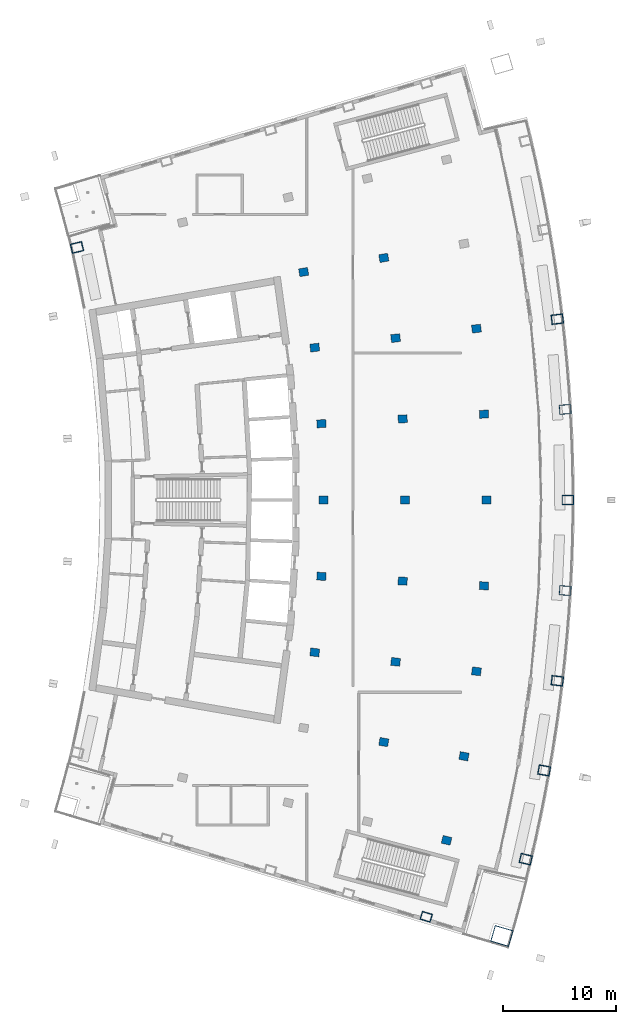
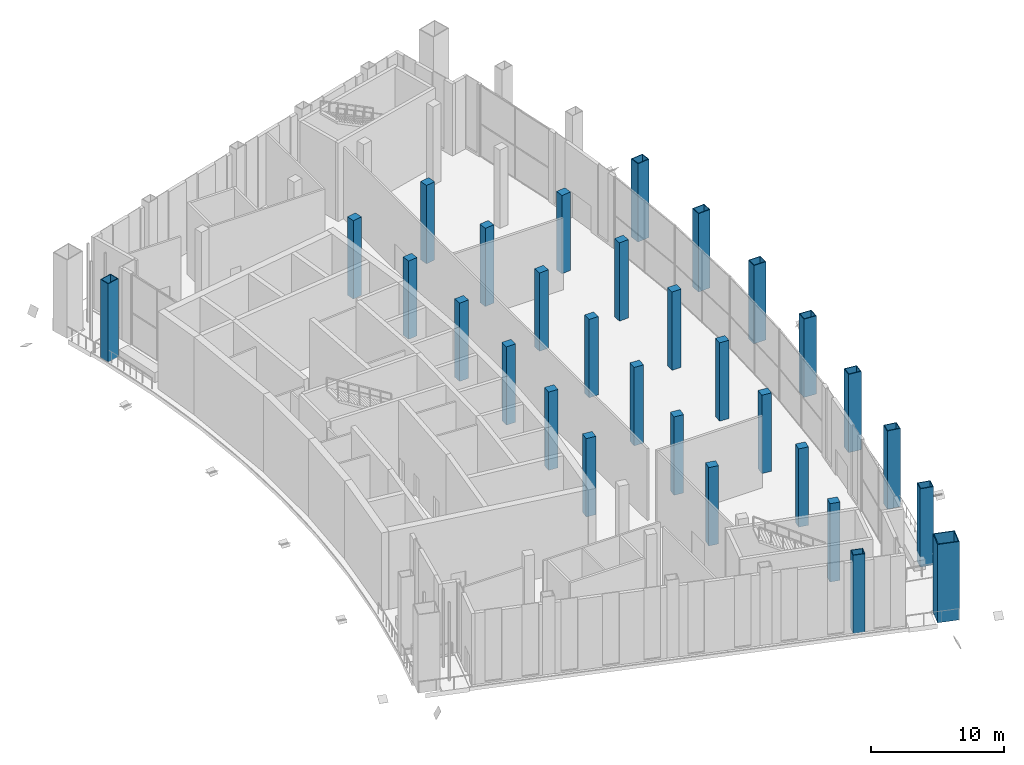
# One storey, part 4 of 24: 30 columns.
"""IFC4 building model written with IfcOpenShell, lengths in metres."""

from ifc_helpers import new_model, si_unit, direction, frame, origin, origin_2d, place, context, subcontext, project, spatial, rectangle, hollow_rectangle, extrude, material, material_profile, profile_set, type_object, element, save


model = new_model("IFC4")

# Units and contexts
model_context = context("Model", 3, precision=1e-05, world=origin(), true_north=direction((0.0, 1.0)))
body_context = subcontext(model_context, "Body", "Model", "MODEL_VIEW")
ifc_project = project(units=[si_unit("LENGTHUNIT", "METRE"), si_unit("AREAUNIT", "SQUARE_METRE"), si_unit("VOLUMEUNIT", "CUBIC_METRE"), si_unit("PLANEANGLEUNIT", "RADIAN"), si_unit("MASSUNIT", "GRAM", prefix="KILO")], contexts=[model_context])

# Site, building, storey
site_placement = place(None, origin())
site = spatial("IfcSite", under=ifc_project, at=site_placement, CompositionType="ELEMENT")
building_placement = place(site_placement, origin())
building = spatial("IfcBuilding", under=site, at=building_placement, Name="Alderwake Tower", CompositionType="ELEMENT")
storey_placement = place(building_placement, frame((0.0, 0.0, 232.39990234375)))
storey = spatial("IfcBuildingStorey", under=building, at=storey_placement, Name="L58", CompositionType="ELEMENT", Elevation=232.39990234375)

# Columns
ifc_material_1 = material(Name="Steel ASTM A572 Grade 50 concrete filled C70/85", Category="concrete")
ifc_material_profile_1 = material_profile(ifc_material_1, hollow_rectangle(XDim=0.75, YDim=0.949951171875, WallThickness=0.054931640625, at=origin_2d()), Name="BOX 950X750X55")
ifc_profile_set_1 = profile_set([ifc_material_profile_1], Name="Steel ASTM A572 Grade 50 concrete filled C70/85")
column_type_1 = type_object("IfcColumnType", Name="End column Z4", PredefinedType="COLUMN", material=ifc_profile_set_1)
column_1_placement = place(storey_placement, frame((44.872314453125, 24.13623046875, 0.0), z_axis=(0.0, 0.0, 1.0), x_axis=(0.283131639396, 0.959081057457, 0.0)))
element("IfcColumn", 1, at=column_1_placement, inside=storey, type_object=column_type_1, Name="Column R02-C4", PredefinedType="COLUMN", context=body_context, shape_type="SweptSolid", body=[
    extrude(hollow_rectangle(XDim=0.75, YDim=0.949951171875, WallThickness=0.054931640625, at=origin_2d()), origin(), (0.0, 0.0, 1.0), 7.2001953125),
])
ifc_material_2 = material(Name="Concrete C70/85", Category="concrete")
ifc_material_profile_2 = material_profile(ifc_material_2, rectangle(XDim=0.699951171875, YDim=0.800048828125, at=origin_2d()), Name="RC 800X700")
ifc_profile_set_2 = profile_set([ifc_material_profile_2], Name="Concrete C70/85")
column_type_2 = type_object("IfcColumnType", Name="Interior column Z4", PredefinedType="COLUMN", material=ifc_profile_set_2)
for number, where, z_axis, x_axis, name in (
    (2, (46.671630859375, 30.89501953125, 0.0), (0.0, 0.0, 1.0), (0.231221547198, 0.972901123502, 0.0), "Column R03-C4"),
    (3, (41.121337890625, 39.584716796875, 0.0), (0.0, 0.0, 1.0), (0.174108800747, 0.984726421654, 0.0), "Column R04-C3"),
    (4, (48.21142578125, 38.3310546875, 0.0), (0.0, 0.0, 1.0), (0.174108800747, 0.984726421654, 0.0), "Column R04-C4"),
    (5, (35.0126953125, 47.5205078125, 0.0), (0.0, 0.0, 1.0), (0.116402054316, 0.993202175668, 0.0), "Column R05-C2"),
    (6, (42.163818359375, 46.6826171875, 0.0), (0.0, 0.0, 1.0), (0.116402054316, 0.993202175668, 0.0), "Column R05-C3"),
    (7, (49.31494140625, 45.844482421875, 0.0), (0.0, 0.0, 1.0), (0.116402054316, 0.993202175668, 0.0), "Column R05-C4"),
    (8, (35.60302734375, 54.248779296875, 0.0), (0.0, 0.0, 1.0), (0.058301061284, 0.998299046505, 0.0), "Column R06-C2"),
    (9, (42.790771484375, 53.8291015625, 0.0), (0.0, 0.0, 1.0), (0.058299318924, 0.998299148258, 0.0), "Column R06-C3"),
    (10, (49.978515625, 53.4091796875, 0.0), (0.0, 0.0, 1.0), (0.058301061284, 0.998299046505, 0.0), "Column R06-C4"),
    (11, (35.800048828125, 61.0, 0.0), (0.0, 0.0, 1.0), (0.0, 1.0, 0.0), "Column R07-C2"),
    (12, (43.0, 61.0, 0.0), (0.0, 0.0, 1.0), (0.0, 1.0, 0.0), "Column R07-C3"),
    (13, (50.199951171875, 61.0, 0.0), (0.0, 0.0, 1.0), (0.0, 1.0, 0.0), "Column R07-C4"),
    (14, (35.60302734375, 67.751220703125, 0.0), (0.0, 0.0, 1.0), (-0.058301061284, 0.998299046505, 0.0), "Column R08-C2"),
    (15, (42.790771484375, 68.1708984375, 0.0), (0.0, 0.0, 1.0), (-0.058299318924, 0.998299148258, 0.0), "Column R08-C3"),
    (16, (49.978515625, 68.5908203125, 0.0), (0.0, 0.0, 1.0), (-0.058301061284, 0.998299046505, 0.0), "Column R08-C4"),
    (17, (35.0126953125, 74.4794921875, 0.0), (0.0, 0.0, 1.0), (-0.116402054316, 0.993202175668, 0.0), "Column R09-C2"),
    (18, (42.163818359375, 75.3173828125, 0.0), (0.0, 0.0, 1.0), (-0.116402054316, 0.993202175668, 0.0), "Column R09-C3"),
    (19, (49.31494140625, 76.155517578125, 0.0), (0.0, 0.0, 1.0), (-0.116402054316, 0.993202175668, 0.0), "Column R09-C4"),
    (20, (34.03125, 81.16162109375, 0.0), (0.0, 0.0, 1.0), (-0.174108800747, 0.984726421654, 0.0), "Column R10-C2"),
    (21, (41.121337890625, 82.415283203125, 0.0), (0.0, 0.0, 1.0), (-0.174108800747, 0.984726421654, 0.0), "Column R10-C3"),
):
    element("IfcColumn", number, at=place(storey_placement, frame(where, z_axis=z_axis, x_axis=x_axis)), inside=storey, type_object=column_type_2, Name=name, PredefinedType="COLUMN", context=body_context, shape_type="SweptSolid", body=[
        extrude(rectangle(XDim=0.699951171875, YDim=0.800048828125, at=origin_2d()), origin(), (0.0, 0.0, 1.0), 7.2001953125),
    ])
ifc_material_3 = material(Name="Steel ASTM A572 Grade 50 concrete filled C70/85", Category="concrete")
ifc_material_profile_3 = material_profile(ifc_material_3, hollow_rectangle(XDim=1.5, YDim=1.699951171875, WallThickness=0.074951171875, at=origin_2d()), Name="BOX 1700X1500X75")
ifc_profile_set_3 = profile_set([ifc_material_profile_3], Name="Steel ASTM A572 Grade 50 concrete filled C70/85")
column_type_3 = type_object("IfcColumnType", Name="Mega column Z4", PredefinedType="COLUMN", material=ifc_profile_set_3)
column_2_placement = place(storey_placement, frame((51.565185546875, 22.43798828125, 0.0), z_axis=(0.0, 0.0, 1.0), x_axis=(0.281269716931, 0.959628754435, 0.0)))
element("IfcColumn", 22, at=column_2_placement, inside=storey, type_object=column_type_3, Name="Column R02-C5", PredefinedType="COLUMN", context=body_context, shape_type="SweptSolid", body=[
    extrude(hollow_rectangle(XDim=1.5, YDim=1.699951171875, WallThickness=0.074951171875, at=origin_2d()), origin(), (0.0, 0.0, 1.0), 7.2001953125),
])
ifc_material_4 = material(Name="Steel ASTM A572 Grade 50 concrete filled C70/85", Category="concrete")
ifc_material_profile_4 = material_profile(ifc_material_4, hollow_rectangle(XDim=0.85009765625, YDim=1.050048828125, WallThickness=0.054931640625, at=origin_2d()), Name="BOX 1050X850X55")
ifc_profile_set_4 = profile_set([ifc_material_profile_4], Name="Steel ASTM A572 Grade 50 concrete filled C70/85")
column_type_4 = type_object("IfcColumnType", Name="Perimeter column Z4", PredefinedType="COLUMN", material=ifc_profile_set_4)
for number, where, z_axis, x_axis, name in (
    (23, (53.676513671875, 29.22998046875, 0.0), (0.0, 0.0, 1.0), (0.231221547198, 0.972901123502, 0.0), "Column R03-C5"),
    (24, (55.301513671875, 37.077392578125, 0.0), (0.0, 0.0, 1.0), (0.174108800747, 0.984726421654, 0.0), "Column R04-C5"),
    (25, (56.466064453125, 45.00634765625, 0.0), (0.0, 0.0, 1.0), (0.116402054316, 0.993202175668, 0.0), "Column R05-C5"),
    (26, (57.166259765625, 52.989501953125, 0.0), (0.0, 0.0, 1.0), (0.058301061284, 0.998299046505, 0.0), "Column R06-C5"),
    (27, (57.39990234375, 61.0, 0.0), (0.0, 0.0, 1.0), (0.0, 1.0, 0.0), "Column R07-C5"),
    (28, (57.166259765625, 69.010498046875, 0.0), (0.0, 0.0, 1.0), (-0.058301061284, 0.998299046505, 0.0), "Column R08-C5"),
    (29, (56.466064453125, 76.99365234375, 0.0), (0.0, 0.0, 1.0), (-0.116402054316, 0.993202175668, 0.0), "Column R09-C5"),
    (30, (13.982177734375, 83.3359375, 0.0), (0.0, 0.0, 1.0), (-0.231221547198, 0.972901123502, 0.0), "Column R11-C0"),
):
    element("IfcColumn", number, at=place(storey_placement, frame(where, z_axis=z_axis, x_axis=x_axis)), inside=storey, type_object=column_type_4, Name=name, PredefinedType="COLUMN", context=body_context, shape_type="SweptSolid", body=[
        extrude(hollow_rectangle(XDim=0.85009765625, YDim=1.050048828125, WallThickness=0.054931640625, at=origin_2d()), origin(), (0.0, 0.0, 1.0), 7.2001953125),
    ])

save(model, "model.ifc")
